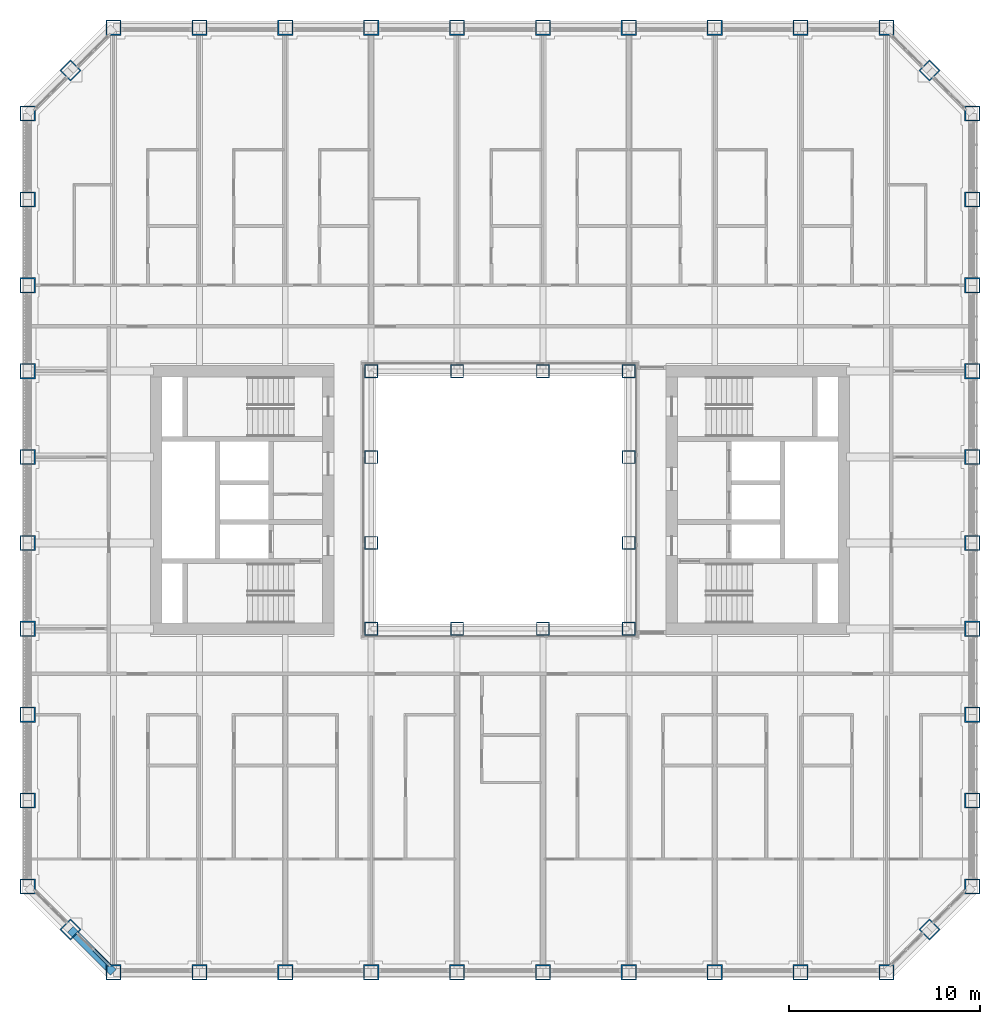
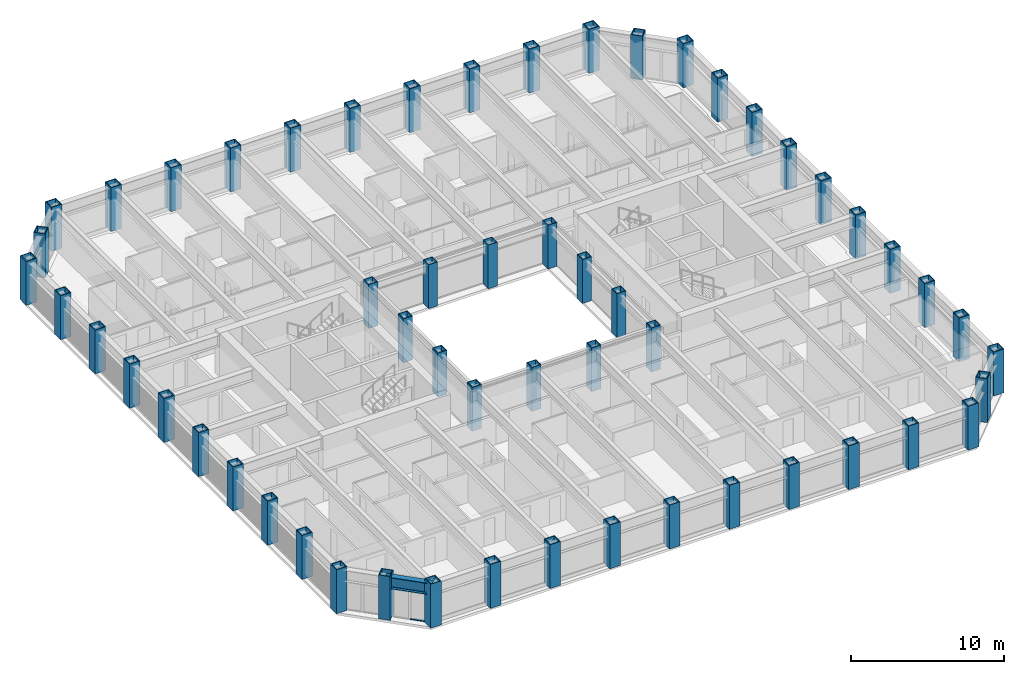
# One storey, part 1 of 21: 56 columns, 2 members, 1 beam, 1 element without a shape of its own.
"""IFC4 building model written with IfcOpenShell, lengths in metres."""

from ifc_helpers import new_model, si_unit, direction, frame, origin, origin_2d, place, context, subcontext, project, spatial, rectangle, hollow_rectangle, i_section, extrude, material, material_profile, profile_set, type_object, element, aggregate, save


model = new_model("IFC4")

# Units and contexts
model_context = context("Model", 3, precision=1e-05, world=origin(), true_north=direction((0.0, 1.0)))
body_context = subcontext(model_context, "Body", "Model", "MODEL_VIEW")
ifc_project = project(units=[si_unit("LENGTHUNIT", "METRE"), si_unit("AREAUNIT", "SQUARE_METRE"), si_unit("VOLUMEUNIT", "CUBIC_METRE"), si_unit("PLANEANGLEUNIT", "RADIAN"), si_unit("MASSUNIT", "GRAM", prefix="KILO")], contexts=[model_context])

# Site, building, storey
site_placement = place(None, origin())
site = spatial("IfcSite", under=ifc_project, at=site_placement, CompositionType="ELEMENT")
building_placement = place(site_placement, origin())
building = spatial("IfcBuilding", under=site, at=building_placement, Name="Msasa Ring Tower", CompositionType="ELEMENT")
storey_placement = place(building_placement, frame((0.0, 0.0, 72.0)))
storey = spatial("IfcBuildingStorey", under=building, at=storey_placement, Name="L18", CompositionType="ELEMENT", Elevation=72.0)

# Columns
ifc_material_1 = material(Name="Steel S355", Category="steel")
ifc_material_profile_1 = material_profile(ifc_material_1, hollow_rectangle(XDim=0.699951171875, YDim=0.699951171875, WallThickness=0.050048828125, at=origin_2d()), Name="BOX 700x700x50")
ifc_profile_set_1 = profile_set([ifc_material_profile_1], Name="Steel S355")
column_type_1 = type_object("IfcColumnType", Name="IC3 BOX 700x700x50", PredefinedType="COLUMN", material=ifc_profile_set_1)
for number, where, z_axis, x_axis, name in (
    (1, (-6.75, -6.75, 0.0), (0.0, 0.0, 1.0), (1.0, 0.0, 0.0), "Inner ring column IR-6.75-6.75 L18"),
    (2, (-6.75, -2.25, 0.0), (0.0, 0.0, 1.0), (1.0, 0.0, 0.0), "Inner ring column IR-6.75-2.25 L18"),
    (3, (-6.75, 2.25, 0.0), (0.0, 0.0, 1.0), (1.0, 0.0, 0.0), "Inner ring column IR-6.75+2.25 L18"),
    (4, (-6.75, 6.75, 0.0), (0.0, 0.0, 1.0), (1.0, 0.0, 0.0), "Inner ring column IR-6.75+6.75 L18"),
    (5, (-2.25, -6.75, 0.0), (0.0, 0.0, 1.0), (1.0, 0.0, 0.0), "Inner ring column IR-2.25-6.75 L18"),
    (6, (-2.25, 6.75, 0.0), (0.0, 0.0, 1.0), (1.0, 0.0, 0.0), "Inner ring column IR-2.25+6.75 L18"),
    (7, (2.25, -6.75, 0.0), (0.0, 0.0, 1.0), (1.0, 0.0, 0.0), "Inner ring column IR+2.25-6.75 L18"),
    (8, (2.25, 6.75, 0.0), (0.0, 0.0, 1.0), (1.0, 0.0, 0.0), "Inner ring column IR+2.25+6.75 L18"),
    (9, (6.75, -6.75, 0.0), (0.0, 0.0, 1.0), (1.0, 0.0, 0.0), "Inner ring column IR+6.75-6.75 L18"),
    (10, (6.75, -2.25, 0.0), (0.0, 0.0, 1.0), (1.0, 0.0, 0.0), "Inner ring column IR+6.75-2.25 L18"),
    (11, (6.75, 2.25, 0.0), (0.0, 0.0, 1.0), (1.0, 0.0, 0.0), "Inner ring column IR+6.75+2.25 L18"),
    (12, (6.75, 6.75, 0.0), (0.0, 0.0, 1.0), (1.0, 0.0, 0.0), "Inner ring column IR+6.75+6.75 L18"),
):
    element("IfcColumn", number, at=place(storey_placement, frame(where, z_axis=z_axis, x_axis=x_axis)), inside=storey, type_object=column_type_1, Name=name, PredefinedType="COLUMN", context=body_context, shape_type="SweptSolid", body=[
        extrude(hollow_rectangle(XDim=0.699951171875, YDim=0.699951171875, WallThickness=0.050048828125, at=origin_2d()), origin(), (0.0, 0.0, 1.0), 3.5),
    ])
ifc_material_2 = material(Name="Steel S355", Category="steel")
ifc_material_profile_2 = material_profile(ifc_material_2, hollow_rectangle(XDim=0.800048828125, YDim=0.800048828125, WallThickness=0.06005859375, at=origin_2d()), Name="BOX 800x800x60")
ifc_profile_set_2 = profile_set([ifc_material_profile_2], Name="Steel S355")
column_type_2 = type_object("IfcColumnType", Name="TC3 BOX 800x800x60", PredefinedType="COLUMN", material=ifc_profile_set_2)
for number, where, z_axis, x_axis, name in (
    (13, (-20.25, -24.75, 0.0), (0.0, 0.0, 1.0), (0.0, 1.0, 0.0), "Tube column S-20.25 L18"),
    (14, (-20.25, 24.75, 0.0), (0.0, 0.0, 1.0), (0.0, 1.0, 0.0), "Tube column N-20.25 L18"),
    (15, (24.75, -20.25, 0.0), (0.0, 0.0, 1.0), (1.0, 0.0, 0.0), "Tube column E-20.25 L18"),
    (16, (-24.75, -20.25, 0.0), (0.0, 0.0, 1.0), (1.0, 0.0, 0.0), "Tube column W-20.25 L18"),
    (17, (-15.75, -24.75, 0.0), (0.0, 0.0, 1.0), (0.0, 1.0, 0.0), "Tube column S-15.75 L18"),
    (18, (-15.75, 24.75, 0.0), (0.0, 0.0, 1.0), (0.0, 1.0, 0.0), "Tube column N-15.75 L18"),
    (19, (24.75, -15.75, 0.0), (0.0, 0.0, 1.0), (1.0, 0.0, 0.0), "Tube column E-15.75 L18"),
    (20, (-24.75, -15.75, 0.0), (0.0, 0.0, 1.0), (1.0, 0.0, 0.0), "Tube column W-15.75 L18"),
    (21, (-11.25, -24.75, 0.0), (0.0, 0.0, 1.0), (0.0, 1.0, 0.0), "Tube column S-11.25 L18"),
    (22, (-11.25, 24.75, 0.0), (0.0, 0.0, 1.0), (0.0, 1.0, 0.0), "Tube column N-11.25 L18"),
    (23, (24.75, -11.25, 0.0), (0.0, 0.0, 1.0), (1.0, 0.0, 0.0), "Tube column E-11.25 L18"),
    (24, (-24.75, -11.25, 0.0), (0.0, 0.0, 1.0), (1.0, 0.0, 0.0), "Tube column W-11.25 L18"),
    (25, (-6.75, -24.75, 0.0), (0.0, 0.0, 1.0), (0.0, 1.0, 0.0), "Tube column S-6.75 L18"),
    (26, (-6.75, 24.75, 0.0), (0.0, 0.0, 1.0), (0.0, 1.0, 0.0), "Tube column N-6.75 L18"),
    (27, (24.75, -6.75, 0.0), (0.0, 0.0, 1.0), (1.0, 0.0, 0.0), "Tube column E-6.75 L18"),
    (28, (-24.75, -6.75, 0.0), (0.0, 0.0, 1.0), (1.0, 0.0, 0.0), "Tube column W-6.75 L18"),
    (29, (-2.25, -24.75, 0.0), (0.0, 0.0, 1.0), (0.0, 1.0, 0.0), "Tube column S-2.25 L18"),
    (30, (-2.25, 24.75, 0.0), (0.0, 0.0, 1.0), (0.0, 1.0, 0.0), "Tube column N-2.25 L18"),
    (31, (24.75, -2.25, 0.0), (0.0, 0.0, 1.0), (1.0, 0.0, 0.0), "Tube column E-2.25 L18"),
    (32, (-24.75, -2.25, 0.0), (0.0, 0.0, 1.0), (1.0, 0.0, 0.0), "Tube column W-2.25 L18"),
    (33, (2.25, -24.75, 0.0), (0.0, 0.0, 1.0), (0.0, 1.0, 0.0), "Tube column S+2.25 L18"),
    (34, (2.25, 24.75, 0.0), (0.0, 0.0, 1.0), (0.0, 1.0, 0.0), "Tube column N+2.25 L18"),
    (35, (24.75, 2.25, 0.0), (0.0, 0.0, 1.0), (1.0, 0.0, 0.0), "Tube column E+2.25 L18"),
    (36, (-24.75, 2.25, 0.0), (0.0, 0.0, 1.0), (1.0, 0.0, 0.0), "Tube column W+2.25 L18"),
    (37, (6.75, -24.75, 0.0), (0.0, 0.0, 1.0), (0.0, 1.0, 0.0), "Tube column S+6.75 L18"),
    (38, (6.75, 24.75, 0.0), (0.0, 0.0, 1.0), (0.0, 1.0, 0.0), "Tube column N+6.75 L18"),
    (39, (24.75, 6.75, 0.0), (0.0, 0.0, 1.0), (1.0, 0.0, 0.0), "Tube column E+6.75 L18"),
    (40, (-24.75, 6.75, 0.0), (0.0, 0.0, 1.0), (1.0, 0.0, 0.0), "Tube column W+6.75 L18"),
    (41, (11.25, -24.75, 0.0), (0.0, 0.0, 1.0), (0.0, 1.0, 0.0), "Tube column S+11.25 L18"),
    (42, (11.25, 24.75, 0.0), (0.0, 0.0, 1.0), (0.0, 1.0, 0.0), "Tube column N+11.25 L18"),
    (43, (24.75, 11.25, 0.0), (0.0, 0.0, 1.0), (1.0, 0.0, 0.0), "Tube column E+11.25 L18"),
    (44, (-24.75, 11.25, 0.0), (0.0, 0.0, 1.0), (1.0, 0.0, 0.0), "Tube column W+11.25 L18"),
    (45, (15.75, -24.75, 0.0), (0.0, 0.0, 1.0), (0.0, 1.0, 0.0), "Tube column S+15.75 L18"),
    (46, (15.75, 24.75, 0.0), (0.0, 0.0, 1.0), (0.0, 1.0, 0.0), "Tube column N+15.75 L18"),
    (47, (24.75, 15.75, 0.0), (0.0, 0.0, 1.0), (1.0, 0.0, 0.0), "Tube column E+15.75 L18"),
    (48, (-24.75, 15.75, 0.0), (0.0, 0.0, 1.0), (1.0, 0.0, 0.0), "Tube column W+15.75 L18"),
    (49, (20.25, -24.75, 0.0), (0.0, 0.0, 1.0), (0.0, 1.0, 0.0), "Tube column S+20.25 L18"),
    (50, (20.25, 24.75, 0.0), (0.0, 0.0, 1.0), (0.0, 1.0, 0.0), "Tube column N+20.25 L18"),
    (51, (24.75, 20.25, 0.0), (0.0, 0.0, 1.0), (1.0, 0.0, 0.0), "Tube column E+20.25 L18"),
    (52, (-24.75, 20.25, 0.0), (0.0, 0.0, 1.0), (1.0, 0.0, 0.0), "Tube column W+20.25 L18"),
    (53, (22.5, -22.5, 0.0), (0.0, 0.0, 1.0), (0.707106781187, -0.707106781187, 0.0), "Tube column SE L18"),
    (54, (22.5, 22.5, 0.0), (0.0, 0.0, 1.0), (0.707106781187, 0.707106781187, 0.0), "Tube column NE L18"),
    (55, (-22.5, 22.5, 0.0), (0.0, 0.0, 1.0), (0.707106781187, -0.707106781187, 0.0), "Tube column NW L18"),
    (56, (-22.5, -22.5, 0.0), (0.0, 0.0, 1.0), (0.707106781187, 0.707106781187, 0.0), "Tube column SW L18"),
):
    element("IfcColumn", number, at=place(storey_placement, frame(where, z_axis=z_axis, x_axis=x_axis)), inside=storey, type_object=column_type_2, Name=name, PredefinedType="COLUMN", context=body_context, shape_type="SweptSolid", body=[
        extrude(hollow_rectangle(XDim=0.800048828125, YDim=0.800048828125, WallThickness=0.06005859375, at=origin_2d()), origin(), (0.0, 0.0, 1.0), 3.5),
    ])

# Curtain wall, members
ifc_material_3 = material(Name="Aluminium curtain wall with clear glass", Category="aluminium")
curtain_wall_type = type_object("IfcCurtainWallType", Name="CW-C CHAMFER CORNER CURTAIN WALL", PredefinedType="NOTDEFINED", material=ifc_material_3)
curtain_wall_placement = place(storey_placement, origin())
curtain_wall = element("IfcCurtainWall", 57, at=curtain_wall_placement, inside=storey, type_object=curtain_wall_type, Name="Chamfer corner curtain wall SW L18", PredefinedType="NOTDEFINED")
ifc_material_4 = material(Name="Aluminium transom", Category="aluminium")
ifc_material_profile_3 = material_profile(ifc_material_4, rectangle(XDim=0.139892578125, YDim=0.06494140625, at=origin_2d()), Name="AL 65x140")
ifc_profile_set_3 = profile_set([ifc_material_profile_3], Name="Aluminium transom")
member_type = type_object("IfcMemberType", Name="CW-C TRANSOM 65x140", PredefinedType="USERDEFINED", material=ifc_profile_set_3)
member_1_placement = place(storey_placement, frame((-21.28125, -23.577392578125, 0.032470703125), z_axis=(0.707106781187, -0.707106781187, 0.0), x_axis=(0.707106781187, 0.707106781187, 0.0)))
member_1 = element("IfcMember", 58, at=member_1_placement, type_object=member_type, Name="CW-C transom 2.1", ObjectType="TRANSOM", PredefinedType="USERDEFINED", context=body_context, shape_type="SweptSolid", body=[
    extrude(rectangle(XDim=0.139892578125, YDim=0.06494140625, at=origin_2d()), origin(), (0.0, 0.0, 1.0), 1.08837890625),
])
member_2_placement = place(storey_placement, frame((-21.28125, -23.577392578125, 2.346435546875), z_axis=(0.707106781187, -0.707106781187, 0.0), x_axis=(0.707106781187, 0.707106781187, 0.0)))
member_2 = element("IfcMember", 59, at=member_2_placement, type_object=member_type, Name="CW-C transom 2.2", ObjectType="TRANSOM", PredefinedType="USERDEFINED", context=body_context, shape_type="SweptSolid", body=[
    extrude(rectangle(XDim=0.139892578125, YDim=0.06494140625, at=origin_2d()), origin(), (0.0, 0.0, 1.0), 1.08837890625),
])
aggregate(curtain_wall, [member_1, member_2])

# Beam
ifc_material_5 = material(Name="Steel S355", Category="steel")
ifc_material_profile_4 = material_profile(ifc_material_5, i_section(OverallWidth=0.42041015625, OverallDepth=0.9208984375, WebThickness=0.021484375, FlangeThickness=0.03662109375, FilletRadius=0.024169921875, at=origin_2d()), Name="UB 914x419x388")
ifc_profile_set_4 = profile_set([ifc_material_profile_4], Name="Steel S355")
beam_type = type_object("IfcBeamType", Name="SB1 UB 914x419x388", PredefinedType="SPANDREL", material=ifc_profile_set_4)
beam_placement = place(storey_placement, frame((-22.5, -22.5, 2.839599609375), z_axis=(0.707106781187, -0.707106781187, 0.0), x_axis=(0.707106781187, 0.707106781187, 0.0)))
element("IfcBeam", 60, at=beam_placement, inside=storey, type_object=beam_type, Name="Spandrel SW to S-20.25 under L19", PredefinedType="SPANDREL", context=body_context, shape_type="SweptSolid", body=[
    extrude(i_section(OverallWidth=0.42041015625, OverallDepth=0.9208984375, WebThickness=0.021484375, FlangeThickness=0.03662109375, FilletRadius=0.024169921875, at=origin_2d()), origin(), (0.0, 0.0, 1.0), 3.181884765625),
])

save(model, "model.ifc")
